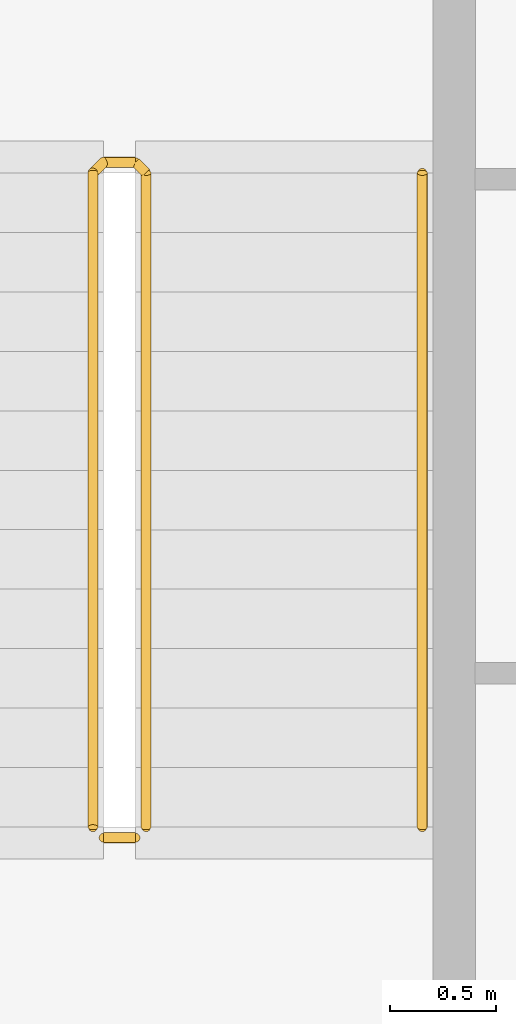
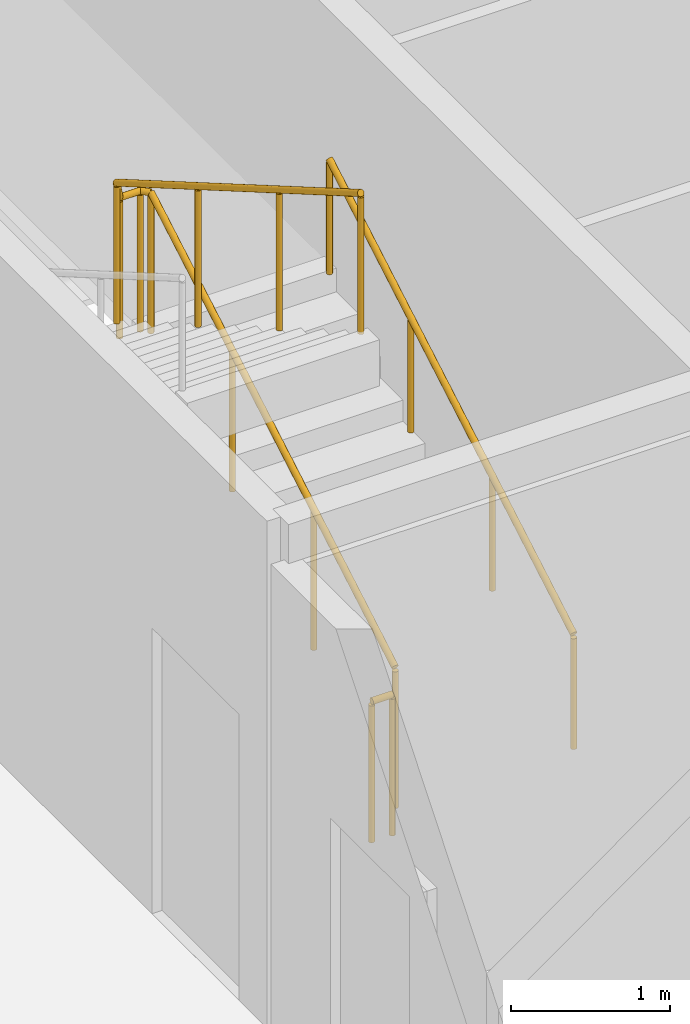
# One storey, part 20 of 21: 3 railings.
"""IFC4 building model written with IfcOpenShell, lengths in metres."""

from ifc_helpers import new_model, si_unit, direction, frame, origin, origin_2d, place, context, subcontext, project, spatial, circle, extrude, material, type_object, element, save


model = new_model("IFC4")

# Units and contexts
model_context = context("Model", 3, precision=1e-05, world=origin(), true_north=direction((0.0, 1.0)))
body_context = subcontext(model_context, "Body", "Model", "MODEL_VIEW")
ifc_project = project(units=[si_unit("LENGTHUNIT", "METRE"), si_unit("AREAUNIT", "SQUARE_METRE"), si_unit("VOLUMEUNIT", "CUBIC_METRE"), si_unit("PLANEANGLEUNIT", "RADIAN"), si_unit("MASSUNIT", "GRAM", prefix="KILO")], contexts=[model_context])

# Site, building, storey
site_placement = place(None, origin())
site = spatial("IfcSite", under=ifc_project, at=site_placement, CompositionType="ELEMENT")
building_placement = place(site_placement, origin())
building = spatial("IfcBuilding", under=site, at=building_placement, Name="Kheshtan School and Residences Tower", CompositionType="ELEMENT")
storey_placement = place(building_placement, frame((0.0, 0.0, 294.199951171875)))
storey = spatial("IfcBuildingStorey", under=building, at=storey_placement, Name="L69", CompositionType="ELEMENT", Elevation=294.199951171875)

# Railings
ifc_material_1 = material(Name="Stainless steel balustrade", Category="steel")
railing_type_1 = type_object("IfcRailingType", Name="Stair guard 1100", PredefinedType="GUARDRAIL", material=ifc_material_1)
railing_1_placement = place(storey_placement, frame((35.0, 80.89990234375, 0.16259765625)))
element("IfcRailing", 1, at=railing_1_placement, inside=storey, type_object=railing_type_1, Name="L69 ST3 stair guard 1", PredefinedType="GUARDRAIL", context=body_context, shape_type="SweptSolid", body=[
    extrude(circle(Radius=0.02392578125, at=origin_2d()), frame((0.0, 0.0, 1.076171875), z_axis=(0.0, 0.864920483161, 0.501908913857), x_axis=(-1.0, 0.0, 0.0)), (0.0, 0.0, 1.0), 3.56103515625),
    extrude(circle(Radius=0.02392578125, at=origin_2d()), frame((0.0, 3.080078125, 2.86328125), z_axis=(-0.707106781187, 0.707106781187, 0.0), x_axis=(-0.707106781187, -0.707106781187, 0.0)), (0.0, 0.0, 1.0), 0.07080078125),
    extrude(circle(Radius=0.02392578125, at=origin_2d()), frame((-0.050048828125, 3.130126953125, 2.86328125), z_axis=(-1.0, 0.0, 0.0), x_axis=(0.0, -1.0, 0.0)), (0.0, 0.0, 1.0), 0.14990234375),
    extrude(circle(Radius=0.02392578125, at=origin_2d()), frame((-0.199951171875, 3.130126953125, 2.86328125), z_axis=(-0.282227285176, -0.282227285176, 0.916894497205), x_axis=(0.707106781187, -0.707106781187, 0.0)), (0.0, 0.0, 1.0), 0.17724609375),
    extrude(circle(Radius=0.02392578125, at=origin_2d()), frame((-0.25, 3.080078125, 3.02587890625), z_axis=(0.0, -0.864890721111, 0.501960198159), x_axis=(1.0, 0.0, 0.0)), (0.0, 0.0, 1.0), 3.561279296875),
    extrude(circle(Radius=0.02099609375, at=origin_2d()), origin(), (0.0, 0.0, 1.0), 1.052001953125),
    extrude(circle(Radius=0.02099609375, at=origin_2d()), frame((0.0, 1.026611328125, 0.595703125)), (0.0, 0.0, 1.0), 1.052001953125),
    extrude(circle(Radius=0.02099609375, at=origin_2d()), frame((0.0, 2.053466796875, 1.191650390625)), (0.0, 0.0, 1.0), 1.052001953125),
    extrude(circle(Radius=0.02099609375, at=origin_2d()), frame((0.0, 3.080078125, 1.787353515625)), (0.0, 0.0, 1.0), 1.052001953125),
    extrude(circle(Radius=0.02099609375, at=origin_2d()), frame((-0.050048828125, 3.130126953125, 1.787353515625)), (0.0, 0.0, 1.0), 1.052001953125),
    extrude(circle(Radius=0.02099609375, at=origin_2d()), frame((-0.199951171875, 3.130126953125, 1.787353515625)), (0.0, 0.0, 1.0), 1.052001953125),
    extrude(circle(Radius=0.02099609375, at=origin_2d()), frame((-0.25, 3.080078125, 1.949951171875)), (0.0, 0.0, 1.0), 1.052001953125),
    extrude(circle(Radius=0.02099609375, at=origin_2d()), frame((-0.25, 2.053466796875, 2.5458984375)), (0.0, 0.0, 1.0), 1.052001953125),
    extrude(circle(Radius=0.02099609375, at=origin_2d()), frame((-0.25, 1.026611328125, 3.1416015625)), (0.0, 0.0, 1.0), 1.052001953125),
    extrude(circle(Radius=0.02099609375, at=origin_2d()), frame((-0.25, 0.0, 3.737548828125)), (0.0, 0.0, 1.0), 1.052001953125),
])
railing_2_placement = place(storey_placement, frame((34.949951171875, 80.85009765625, 0.0)))
element("IfcRailing", 2, at=railing_2_placement, inside=storey, type_object=railing_type_1, Name="L69 ST3 stair guard 2", PredefinedType="GUARDRAIL", context=body_context, shape_type="SweptSolid", body=[
    extrude(circle(Radius=0.02392578125, at=origin_2d()), frame((0.0, 0.0, 1.076171875), z_axis=(-1.0, 0.0, 0.0), x_axis=(0.0, -1.0, 0.0)), (0.0, 0.0, 1.0), 0.14990234375),
    extrude(circle(Radius=0.02099609375, at=origin_2d()), origin(), (0.0, 0.0, 1.0), 1.052001953125),
    extrude(circle(Radius=0.02099609375, at=origin_2d()), frame((-0.14990234375, 0.0, 0.0)), (0.0, 0.0, 1.0), 1.052001953125),
])
ifc_material_2 = material(Name="Stainless steel handrail", Category="steel")
railing_type_2 = type_object("IfcRailingType", Name="Stair handrail 900", PredefinedType="HANDRAIL", material=ifc_material_2)
railing_3_placement = place(storey_placement, frame((36.300048828125, 80.89990234375, 0.16259765625)))
element("IfcRailing", 3, at=railing_3_placement, inside=storey, type_object=railing_type_2, Name="L69 ST3 stair handrail 1", PredefinedType="HANDRAIL", context=body_context, shape_type="SweptSolid", body=[
    extrude(circle(Radius=0.02392578125, at=origin_2d()), frame((0.0, 0.0, 0.8759765625), z_axis=(0.0, 0.864920483161, 0.501908913857), x_axis=(-1.0, 0.0, 0.0)), (0.0, 0.0, 1.0), 3.56103515625),
    extrude(circle(Radius=0.02099609375, at=origin_2d()), origin(), (0.0, 0.0, 1.0), 0.851806640625),
    extrude(circle(Radius=0.02099609375, at=origin_2d()), frame((0.0, 1.026611328125, 0.595703125)), (0.0, 0.0, 1.0), 0.851806640625),
    extrude(circle(Radius=0.02099609375, at=origin_2d()), frame((0.0, 2.053466796875, 1.191650390625)), (0.0, 0.0, 1.0), 0.851806640625),
    extrude(circle(Radius=0.02099609375, at=origin_2d()), frame((0.0, 3.080078125, 1.787353515625)), (0.0, 0.0, 1.0), 0.851806640625),
])

save(model, "model.ifc")
